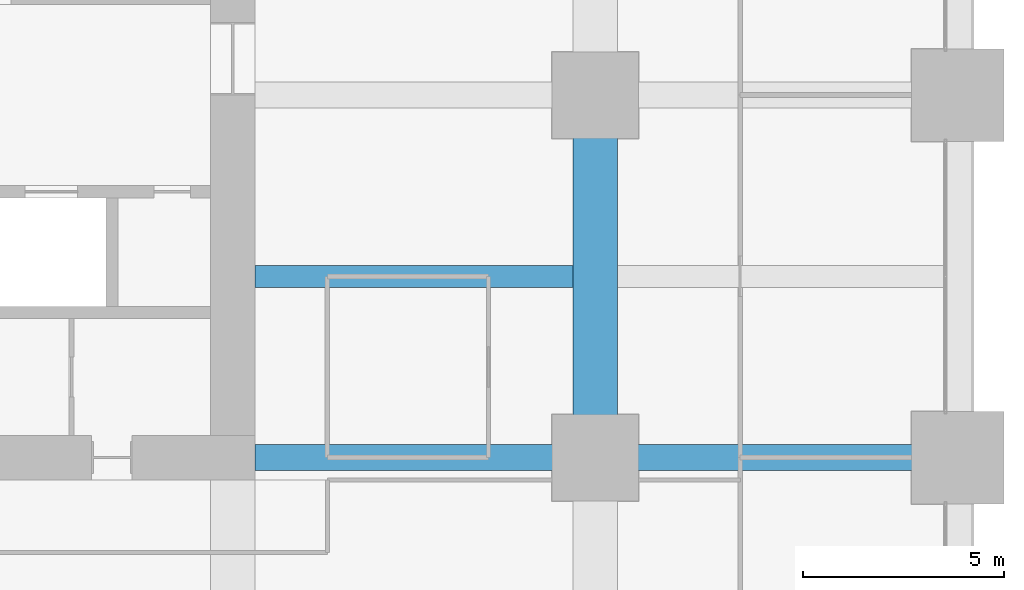
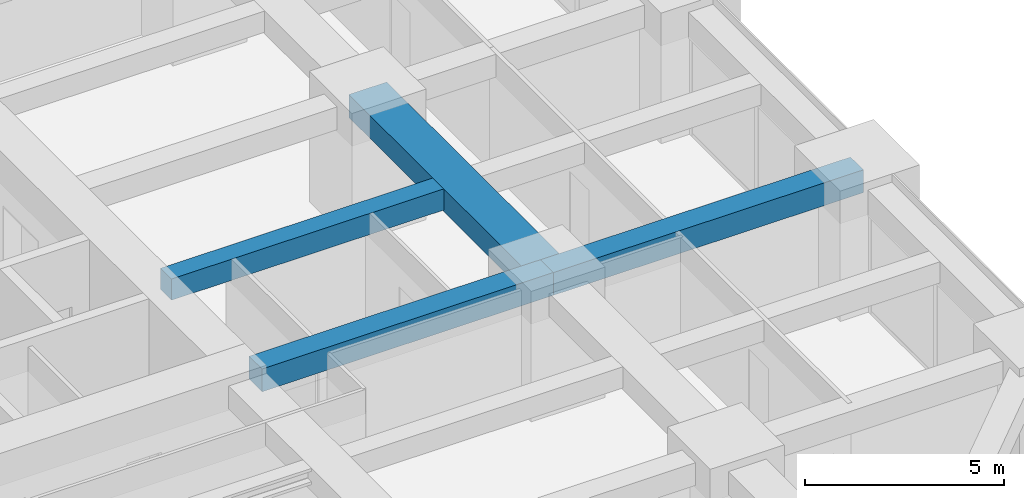
# One storey, part 19 of 44: 4 beams.
"""IFC4 building model written with IfcOpenShell, lengths in metres."""

import ifcopenshell
import ifcopenshell.guid

model = None  # the IFC model being written
_history = None  # IfcOwnerHistory: only IFC2X3 demands one
_inside = {}  # id of a spatial element -> (the spatial element, [elements in it])
_under = {}  # id of a project, library or spatial element -> (it, [spatial elements below it])
_declared = {}  # id of a project -> (the project, [libraries it declares])
_typed = {}  # id of a type object -> (the type object, [elements of that type])
_made_of = {}  # id of a material, layer set ... -> (it, [elements and type objects made of it])


def new_model(schema):
    """Start an empty IFC model of exactly this schema.

    Asked for "IFC4X3", IfcOpenShell would pick the latest addendum, in which some entities
    have other attributes; the version numbers below select the first issue.
    IFC2X3 requires an IfcOwnerHistory on every rooted entity: one is made here for all.
    """
    global model, _history
    if schema == "IFC4X3":
        model = ifcopenshell.file(schema_version=(4, 3, 0, 0))
    else:
        model = ifcopenshell.file(schema=schema)
    _inside.clear()
    _under.clear()
    _declared.clear()
    _typed.clear()
    _made_of.clear()
    _history = None
    if model.schema == "IFC2X3":
        org = make("IfcOrganization", Name="unknown")
        user = make(
            "IfcPersonAndOrganization",
            ThePerson=make("IfcPerson", FamilyName="unknown"),
            TheOrganization=org,
        )
        app = make(
            "IfcApplication",
            ApplicationDeveloper=org,
            Version="unknown",
            ApplicationFullName="unknown",
            ApplicationIdentifier="unknown",
        )
        _history = make(
            "IfcOwnerHistory",
            OwningUser=user,
            OwningApplication=app,
            ChangeAction="ADDED",
            CreationDate=0,
        )
    return model


def make(cls, **values):
    """One entity of the class cls with the attributes given. An attribute that is None is left unset."""
    return model.create_entity(
        cls, **{name: value for name, value in values.items() if value is not None}
    )


def rooted(cls, **values):
    """An entity with a GlobalId (a new one), such as an element, a storey or a relation."""
    return make(cls, GlobalId=ifcopenshell.guid.new(), OwnerHistory=_history, **values)


def si_unit(unit_type, name, prefix=None):
    """IfcSIUnit, for example si_unit("LENGTHUNIT", "METRE", prefix="MILLI")."""
    return make("IfcSIUnit", UnitType=unit_type, Prefix=prefix, Name=name)


def assignment(units):
    """IfcUnitAssignment: the units of a project."""
    return None if units is None else make("IfcUnitAssignment", Units=units)


def point(xyz):
    """IfcCartesianPoint."""
    return None if xyz is None else make("IfcCartesianPoint", Coordinates=xyz)


def direction(xyz):
    """IfcDirection."""
    return None if xyz is None else make("IfcDirection", DirectionRatios=xyz)


def frame(location, z_axis=None, x_axis=None):
    """IfcAxis2Placement3D, a coordinate frame: its origin and axes. An axis left out is left unset."""
    return make(
        "IfcAxis2Placement3D",
        Location=point(location),
        Axis=direction(z_axis),
        RefDirection=direction(x_axis),
    )


def frame_2d(location, x_axis=None):
    """IfcAxis2Placement2D, a coordinate frame in the plane: its origin and x axis."""
    return make(
        "IfcAxis2Placement2D", Location=point(location), RefDirection=direction(x_axis)
    )


def origin():
    """The frame at (0, 0, 0) with its axes left unset."""
    return frame((0.0, 0.0, 0.0))


def origin_2d():
    """The frame at (0, 0) in the plane with its x axis left unset."""
    return frame_2d((0.0, 0.0))


def place(relative_to, where):
    """IfcLocalPlacement: puts the frame where relative to a parent placement (None: the world)."""
    return make(
        "IfcLocalPlacement", PlacementRelTo=relative_to, RelativePlacement=where
    )


def context(
    kind, dimensions, precision=None, world=None, true_north=None, identifier=None
):
    """IfcGeometricRepresentationContext, for example the 3D "Model" context."""
    return make(
        "IfcGeometricRepresentationContext",
        ContextIdentifier=identifier,
        ContextType=kind,
        CoordinateSpaceDimension=dimensions,
        Precision=precision,
        WorldCoordinateSystem=world,
        TrueNorth=true_north,
    )


def subcontext(parent, identifier, kind, view, scale=None):
    """IfcGeometricRepresentationSubContext, for example "Body" below "Model"."""
    return make(
        "IfcGeometricRepresentationSubContext",
        ContextIdentifier=identifier,
        ContextType=kind,
        ParentContext=parent,
        TargetScale=scale,
        TargetView=view,
    )


def project(units=None, contexts=None):
    """IfcProject with its units and contexts."""
    return rooted(
        "IfcProject",
        Name="project",
        RepresentationContexts=contexts,
        UnitsInContext=assignment(units),
    )


def spatial(cls, under=None, at=None, **own):
    """A site, building, storey or space (cls), placed at a placement, below another one or the project."""
    s = rooted(cls, ObjectPlacement=at, **own)
    if under is not None:
        _under.setdefault(under.id(), (under, []))[1].append(s)
    return s


def profile(cls, at=None, kind="AREA", **sizes):
    """A parametric profile (cls). Its sizes go by their IFC names, for example OverallWidth=200.0."""
    return make(cls, ProfileType=kind, Position=at, **sizes)


def rectangle(**sizes):
    """IfcRectangleProfileDef."""
    return profile("IfcRectangleProfileDef", **sizes)


def extrude(swept, where, along, depth):
    """IfcExtrudedAreaSolid: the profile swept, set in the frame where, extruded along a direction by depth."""
    return make(
        "IfcExtrudedAreaSolid",
        SweptArea=swept,
        Position=where,
        ExtrudedDirection=direction(along),
        Depth=depth,
    )


def shape(context_of_items, identifier, shape_type, items):
    """IfcShapeRepresentation: the items that make up one representation, for example the "Body"."""
    return make(
        "IfcShapeRepresentation",
        ContextOfItems=context_of_items,
        RepresentationIdentifier=identifier,
        RepresentationType=shape_type,
        Items=items,
    )


def material(Name=None, Category=None):
    """IfcMaterial."""
    return make("IfcMaterial", Name=Name, Category=Category)


def material_profile(
    of_material, cross_section, Name=None, Category=None, Priority=None
):
    """IfcMaterialProfile: a cross section and its material."""
    return make(
        "IfcMaterialProfile",
        Name=Name,
        Material=of_material,
        Profile=cross_section,
        Priority=Priority,
        Category=Category,
    )


def profile_set(profiles, Name=None, composite=None):
    """IfcMaterialProfileSet."""
    return make(
        "IfcMaterialProfileSet",
        Name=Name,
        MaterialProfiles=profiles,
        CompositeProfile=composite,
    )


def made_of(thing, what):
    """Note that an element or type object is made of a material, layer set ...; save() writes the relation."""
    if what is not None:
        _made_of.setdefault(what.id(), (what, []))[1].append(thing)
    return thing


def type_object(cls, material=None, **own):
    """A type object (cls), such as IfcWallType, which elements share."""
    return made_of(rooted(cls, **own), material)


def element(
    cls,
    number,
    at=None,
    inside=None,
    cuts=None,
    type_object=None,
    material=None,
    context=None,
    identifier="Body",
    shape_type=None,
    held_by="IfcProductDefinitionShape",
    body=None,
    shapes=None,
    **own,
):
    """One element of the class cls, such as IfcWall. Its Tag is "e" and its number.

    at: its placement. inside: the storey or other place that contains it. cuts: it is an
    opening in that element (IfcRelVoidsElement). A single representation is given by context,
    identifier, shape_type and body (its items); several are given by shapes. held_by: the class
    of the entity that holds the representations. save() writes the other relations.
    """
    e = rooted(cls, Tag="e%d" % number, ObjectPlacement=at, **own)
    if body is not None:
        shapes = [shape(context, identifier, shape_type, body)]
    if shapes is not None:
        e.Representation = make(held_by, Representations=shapes)
    if inside is not None:
        _inside.setdefault(inside.id(), (inside, []))[1].append(e)
    if cuts is not None:
        rooted(
            "IfcRelVoidsElement", RelatingBuildingElement=cuts, RelatedOpeningElement=e
        )
    if type_object is not None:
        _typed.setdefault(type_object.id(), (type_object, []))[1].append(e)
    return made_of(e, material)


def aggregate(whole, parts):
    """IfcRelAggregates: a whole, such as a stair, and the parts it consists of."""
    return rooted("IfcRelAggregates", RelatingObject=whole, RelatedObjects=parts)


def save(model, path):
    """Write the relations noted so far, then the file.

    IfcRelAggregates (storeys below a building ...), IfcRelContainedInSpatialStructure (elements
    in a storey), IfcRelDefinesByType, IfcRelAssociatesMaterial and IfcRelDeclares: one each for
    every whole, place, type object, material and project.
    """
    for whole, parts in _under.values():
        aggregate(whole, parts)
    for where, things in _inside.values():
        rooted(
            "IfcRelContainedInSpatialStructure",
            RelatedElements=things,
            RelatingStructure=where,
        )
    for kind, things in _typed.values():
        rooted("IfcRelDefinesByType", RelatedObjects=things, RelatingType=kind)
    for what, things in _made_of.values():
        rooted("IfcRelAssociatesMaterial", RelatedObjects=things, RelatingMaterial=what)
    for by, libraries in _declared.values():
        rooted("IfcRelDeclares", RelatingContext=by, RelatedDefinitions=libraries)
    model.write(path)


model = new_model("IFC4")

# Units and contexts
model_context = context("Model", 3, precision=1e-05, world=origin(), true_north=direction((0.0, 1.0)))
body_context = subcontext(model_context, "Body", "Model", "MODEL_VIEW")
ifc_project = project(units=[si_unit("LENGTHUNIT", "METRE"), si_unit("AREAUNIT", "SQUARE_METRE"), si_unit("VOLUMEUNIT", "CUBIC_METRE"), si_unit("PLANEANGLEUNIT", "RADIAN"), si_unit("MASSUNIT", "GRAM", prefix="KILO")], contexts=[model_context])

# Site, building, storey
site_placement = place(None, origin())
site = spatial("IfcSite", under=ifc_project, at=site_placement, CompositionType="ELEMENT")
building_placement = place(site_placement, origin())
building = spatial("IfcBuilding", under=site, at=building_placement, Name="Zorevar Civic Tower", CompositionType="ELEMENT")
storey_placement = place(building_placement, frame((0.0, 0.0, 51.800048828125)))
storey = spatial("IfcBuildingStorey", under=building, at=storey_placement, Name="L12", CompositionType="ELEMENT", Elevation=51.800048828125)

# Beams
ifc_material_1 = material(Name="Concrete C50/60", Category="concrete")
ifc_material_profile_1 = material_profile(ifc_material_1, rectangle(XDim=1.10009765625, YDim=0.699951171875, at=origin_2d()), Name="RC 1100x700")
ifc_profile_set_1 = profile_set([ifc_material_profile_1], Name="Concrete C50/60")
beam_type_1 = type_object("IfcBeamType", Name="Beam RC 1100x700", PredefinedType="BEAM", material=ifc_profile_set_1)
beam_1_placement = place(storey_placement, frame((54.0, 18.0, 3.39990234375), z_axis=(0.0, 1.0, 0.0), x_axis=(-1.0, 0.0, 0.0)))
element("IfcBeam", 1, at=beam_1_placement, inside=storey, type_object=beam_type_1, Name="Girder L13", PredefinedType="BEAM", context=body_context, shape_type="SweptSolid", body=[
    extrude(rectangle(XDim=1.10009765625, YDim=0.699951171875, at=origin_2d()), origin(), (0.0, 0.0, 1.0), 9.0),
])
ifc_material_2 = material(Name="Concrete C50/60", Category="concrete")
ifc_material_profile_2 = material_profile(ifc_material_2, rectangle(XDim=0.550048828125, YDim=0.64990234375, at=origin_2d()), Name="RC 550x650")
ifc_profile_set_2 = profile_set([ifc_material_profile_2], Name="Concrete C50/60")
beam_type_2 = type_object("IfcBeamType", Name="Beam RC 550x650", PredefinedType="BEAM", material=ifc_profile_set_2)
beam_2_placement = place(storey_placement, frame((45.550048828125, 22.5, 3.425048828125), z_axis=(1.0, 0.0, 0.0), x_axis=(0.0, 1.0, 0.0)))
element("IfcBeam", 2, at=beam_2_placement, inside=storey, type_object=beam_type_2, Name="Secondary beam L13", PredefinedType="BEAM", context=body_context, shape_type="SweptSolid", body=[
    extrude(rectangle(XDim=0.550048828125, YDim=0.64990234375, at=origin_2d()), origin(), (0.0, 0.0, 1.0), 7.89990234375),
])
ifc_material_3 = material(Name="Concrete C50/60", Category="concrete")
ifc_material_profile_3 = material_profile(ifc_material_3, rectangle(XDim=0.64990234375, YDim=0.699951171875, at=origin_2d()), Name="RC 650x700")
ifc_profile_set_3 = profile_set([ifc_material_profile_3], Name="Concrete C50/60")
beam_type_3 = type_object("IfcBeamType", Name="Beam RC 650x700", PredefinedType="BEAM", material=ifc_profile_set_3)
beam_3_placement = place(storey_placement, frame((45.550048828125, 18.0, 3.39990234375), z_axis=(1.0, 0.0, 0.0), x_axis=(0.0, 1.0, 0.0)))
element("IfcBeam", 3, at=beam_3_placement, inside=storey, type_object=beam_type_3, Name="Girder L13", PredefinedType="BEAM", context=body_context, shape_type="SweptSolid", body=[
    extrude(rectangle(XDim=0.64990234375, YDim=0.699951171875, at=origin_2d()), origin(), (0.0, 0.0, 1.0), 8.449951171875),
])
beam_4_placement = place(storey_placement, frame((54.0, 18.0, 3.39990234375), z_axis=(1.0, 0.0, 0.0), x_axis=(0.0, 1.0, 0.0)))
element("IfcBeam", 4, at=beam_4_placement, inside=storey, type_object=beam_type_3, Name="Girder L13", PredefinedType="BEAM", context=body_context, shape_type="SweptSolid", body=[
    extrude(rectangle(XDim=0.64990234375, YDim=0.699951171875, at=origin_2d()), origin(), (0.0, 0.0, 1.0), 9.0),
])

save(model, "model.ifc")
